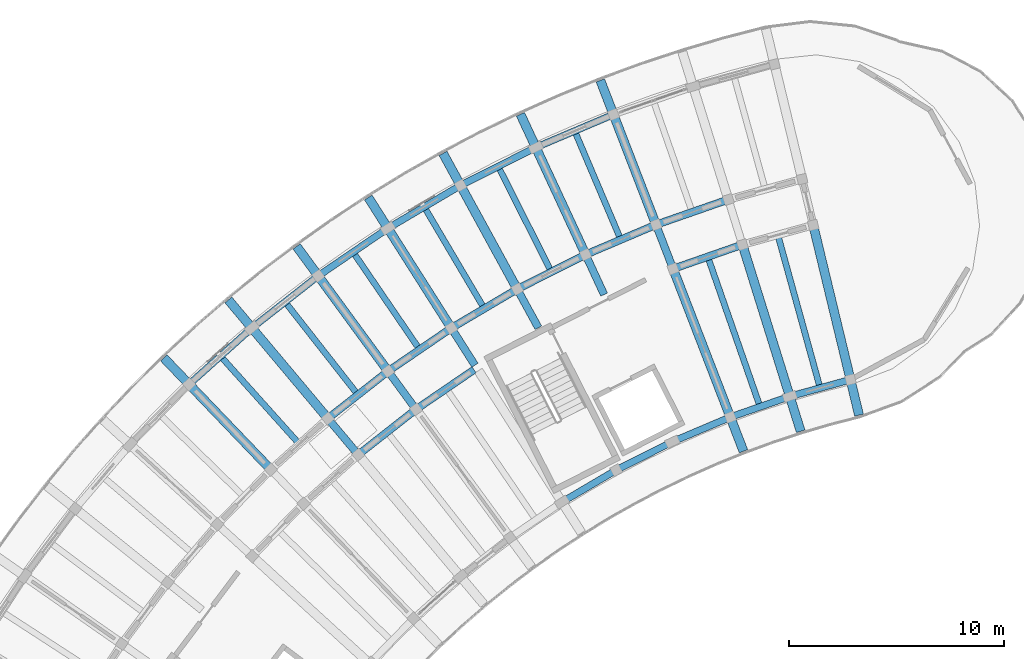
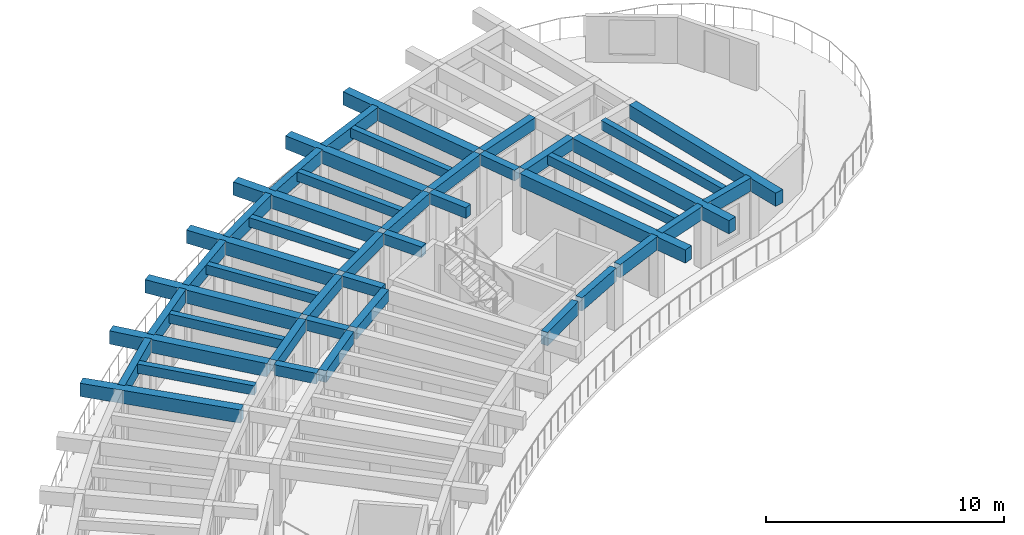
# One storey, part 6 of 36: 44 beams.
"""IFC4 building model written with IfcOpenShell, lengths in metres."""

from ifc_helpers import new_model, si_unit, direction, frame, origin, origin_2d, place, context, subcontext, project, spatial, rectangle, extrude, material, material_profile, profile_set, type_object, element, save


model = new_model("IFC4")

# Units and contexts
model_context = context("Model", 3, precision=1e-05, world=origin(), true_north=direction((0.0, 1.0)))
body_context = subcontext(model_context, "Body", "Model", "MODEL_VIEW")
ifc_project = project(units=[si_unit("LENGTHUNIT", "METRE"), si_unit("AREAUNIT", "SQUARE_METRE"), si_unit("VOLUMEUNIT", "CUBIC_METRE"), si_unit("PLANEANGLEUNIT", "RADIAN"), si_unit("MASSUNIT", "GRAM", prefix="KILO")], contexts=[model_context])

# Site, building, storey
site_placement = place(None, origin())
site = spatial("IfcSite", under=ifc_project, at=site_placement, CompositionType="ELEMENT")
building_placement = place(site_placement, origin())
building = spatial("IfcBuilding", under=site, at=building_placement, Name="Tanwirah Colonnade Gardens", CompositionType="ELEMENT")
storey_placement = place(building_placement, frame((0.0, 0.0, 39.080078125)))
storey = spatial("IfcBuildingStorey", under=building, at=storey_placement, Name="L11", CompositionType="ELEMENT", Elevation=39.080078125)

# Beams
ifc_material_1 = material(Name="Precast concrete C40/50", Category="concrete")
ifc_material_profile_1 = material_profile(ifc_material_1, rectangle(XDim=0.35009765625, YDim=0.550048828125, at=origin_2d()), Name="PC-BM 350x550")
ifc_profile_set_1 = profile_set([ifc_material_profile_1], Name="Precast concrete C40/50")
beam_type_1 = type_object("IfcBeamType", Name="BM-PC350A", PredefinedType="BEAM", material=ifc_profile_set_1)
for number, where, z_axis, x_axis, name in (
    (1, (46.270751953125, 108.7099609375, 2.844970703125), (-0.360175656082, 0.932884503444, 0.0), (-0.932884503444, -0.360175656082, 0.0), "Block A L11 Corridor Tie Beam 4"),
    (2, (43.115234375, 107.37060546875, 2.844970703125), (-0.420858322681, 0.90712638162, 0.0), (-0.90712638162, -0.420858322681, 0.0), "Block A L11 Corridor Tie Beam 5"),
    (3, (40.054931640625, 105.826171875, 2.844970703125), (-0.479707235792, 0.877428611301, 0.0), (-0.877428611301, -0.479707235792, 0.0), "Block A L11 Corridor Tie Beam 6"),
    (4, (37.10302734375, 104.08349609375, 2.844970703125), (-0.536509579595, 0.843894229749, 0.0), (-0.843894229749, -0.536509579595, 0.0), "Block A L11 Corridor Tie Beam 7"),
):
    element("IfcBeam", number, at=place(storey_placement, frame(where, z_axis=z_axis, x_axis=x_axis)), inside=storey, type_object=beam_type_1, Name=name, PredefinedType="BEAM", context=body_context, shape_type="SweptSolid", body=[
        extrude(rectangle(XDim=0.35009765625, YDim=0.550048828125, at=origin_2d()), origin(), (0.0, 0.0, 1.0), 1.89990234375),
    ])
beam_1_placement = place(storey_placement, frame((34.272216796875, 102.14990234375, 2.844970703125), z_axis=(-0.590895676149, 0.806747977939, 0.0), x_axis=(-0.806747977939, -0.590895676149, 0.0)))
element("IfcBeam", 5, at=beam_1_placement, inside=storey, type_object=beam_type_1, Name="Block A L11 Corridor Tie Beam 8", PredefinedType="BEAM", context=body_context, shape_type="SweptSolid", body=[
    extrude(rectangle(XDim=0.35009765625, YDim=0.550048828125, at=origin_2d()), origin(), (0.0, 0.0, 1.0), 1.900146484375),
])
beam_2_placement = place(storey_placement, frame((31.574951171875, 100.034423828125, 2.844970703125), z_axis=(-0.642797194343, 0.766036400535, 0.0), x_axis=(-0.766036400535, -0.642797194343, 0.0)))
element("IfcBeam", 6, at=beam_2_placement, inside=storey, type_object=beam_type_1, Name="Block A L11 Corridor Tie Beam 9", PredefinedType="BEAM", context=body_context, shape_type="SweptSolid", body=[
    extrude(rectangle(XDim=0.35009765625, YDim=0.550048828125, at=origin_2d()), origin(), (0.0, 0.0, 1.0), 1.89990234375),
])
ifc_material_profile_2 = material_profile(ifc_material_1, rectangle(XDim=0.35009765625, YDim=0.60009765625, at=origin_2d()), Name="PC-BM 350x600")
ifc_profile_set_2 = profile_set([ifc_material_profile_2], Name="Precast concrete C40/50")
beam_type_2 = type_object("IfcBeamType", Name="BM-PC350B", PredefinedType="BEAM", material=ifc_profile_set_2)
beam_3_placement = place(storey_placement, frame((49.41064453125, 109.64599609375, 2.81982421875), z_axis=(-0.944248304077, -0.329234172358, 0.0), x_axis=(0.329234172358, -0.944248304077, 0.0)))
element("IfcBeam", 7, at=beam_3_placement, inside=storey, type_object=beam_type_2, Name="Block A L11 Circumferential Beam 3-R1", PredefinedType="BEAM", context=body_context, shape_type="SweptSolid", body=[
    extrude(rectangle(XDim=0.35009765625, YDim=0.60009765625, at=origin_2d()), origin(), (0.0, 0.0, 1.0), 3.1181640625),
])
for number, where, z_axis, x_axis, name in (
    (8, (48.755126953125, 111.74609375, 2.81982421875), (-0.944231021702, -0.329283734272, 0.0), (0.329283734272, -0.944231021702, 0.0), "Block A L11 Circumferential Beam 3-R2"),
    (9, (45.394287109375, 110.563720703125, 2.81982421875), (-0.920513294115, -0.390711242938, 0.0), (0.390711242938, -0.920513294115, 0.0), "Block A L11 Circumferential Beam 4-R2"),
):
    element("IfcBeam", number, at=place(storey_placement, frame(where, z_axis=z_axis, x_axis=x_axis)), inside=storey, type_object=beam_type_2, Name=name, PredefinedType="BEAM", context=body_context, shape_type="SweptSolid", body=[
        extrude(rectangle(XDim=0.35009765625, YDim=0.60009765625, at=origin_2d()), origin(), (0.0, 0.0, 1.0), 3.262939453125),
    ])
for number, where, z_axis, x_axis, name in (
    (10, (42.11865234375, 109.16259765625, 2.81982421875), (-0.89276014323, -0.450532270387, 0.0), (0.450532270387, -0.89276014323, 0.0), "Block A L11 Circumferential Beam 5-R2"),
    (11, (38.9423828125, 107.548583984375, 2.81982421875), (-0.861134978964, -0.508376384193, 0.0), (0.508376384193, -0.861134978964, 0.0), "Block A L11 Circumferential Beam 6-R2"),
):
    element("IfcBeam", number, at=place(storey_placement, frame(where, z_axis=z_axis, x_axis=x_axis)), inside=storey, type_object=beam_type_2, Name=name, PredefinedType="BEAM", context=body_context, shape_type="SweptSolid", body=[
        extrude(rectangle(XDim=0.35009765625, YDim=0.60009765625, at=origin_2d()), origin(), (0.0, 0.0, 1.0), 3.26318359375),
    ])
beam_4_placement = place(storey_placement, frame((37.0595703125, 103.872314453125, 2.81982421875), z_axis=(-0.825758291455, -0.564024152047, 0.0), x_axis=(0.564024152047, -0.825758291455, 0.0)))
element("IfcBeam", 12, at=beam_4_placement, inside=storey, type_object=beam_type_2, Name="Block A L11 Circumferential Beam 7-R1", PredefinedType="BEAM", context=body_context, shape_type="SweptSolid", body=[
    extrude(rectangle(XDim=0.35009765625, YDim=0.60009765625, at=origin_2d()), origin(), (0.0, 0.0, 1.0), 3.118408203125),
])
beam_5_placement = place(storey_placement, frame((35.87939453125, 105.728759765625, 2.81982421875), z_axis=(-0.825782284145, -0.563989024, 0.0), x_axis=(0.563989024, -0.825782284145, 0.0)))
element("IfcBeam", 13, at=beam_5_placement, inside=storey, type_object=beam_type_2, Name="Block A L11 Circumferential Beam 7-R2", PredefinedType="BEAM", context=body_context, shape_type="SweptSolid", body=[
    extrude(rectangle(XDim=0.35009765625, YDim=0.60009765625, at=origin_2d()), origin(), (0.0, 0.0, 1.0), 3.26318359375),
])
beam_6_placement = place(storey_placement, frame((34.242919921875, 101.9365234375, 2.81982421875), z_axis=(-0.78679899272, -0.617209320292, 0.0), x_axis=(0.617209320292, -0.78679899272, 0.0)))
element("IfcBeam", 14, at=beam_6_placement, inside=storey, type_object=beam_type_2, Name="Block A L11 Circumferential Beam 8-R1", PredefinedType="BEAM", context=body_context, shape_type="SweptSolid", body=[
    extrude(rectangle(XDim=0.35009765625, YDim=0.60009765625, at=origin_2d()), origin(), (0.0, 0.0, 1.0), 3.1181640625),
])
beam_7_placement = place(storey_placement, frame((32.94287109375, 103.711181640625, 2.81982421875), z_axis=(-0.786839882256, -0.617157192044, 0.0), x_axis=(0.617157192044, -0.786839882256, 0.0)))
element("IfcBeam", 15, at=beam_7_placement, inside=storey, type_object=beam_type_2, Name="Block A L11 Circumferential Beam 8-R2", PredefinedType="BEAM", context=body_context, shape_type="SweptSolid", body=[
    extrude(rectangle(XDim=0.35009765625, YDim=0.60009765625, at=origin_2d()), origin(), (0.0, 0.0, 1.0), 3.26318359375),
])
ifc_material_2 = material(Name="Precast concrete C45/55", Category="concrete")
ifc_material_profile_3 = material_profile(ifc_material_2, rectangle(XDim=0.419921875, YDim=0.679931640625, at=origin_2d()), Name="PC-BM 420x680")
ifc_profile_set_3 = profile_set([ifc_material_profile_3], Name="Precast concrete C45/55")
beam_type_3 = type_object("IfcBeamType", Name="BM-PC420", PredefinedType="BEAM", material=ifc_profile_set_3)
beam_8_placement = place(storey_placement, frame((52.882080078125, 110.459716796875, 2.780029296875), z_axis=(0.234401428133, -0.972139892448, 0.0), x_axis=(0.972139892448, 0.234401428133, 0.0)))
element("IfcBeam", 16, at=beam_8_placement, inside=storey, type_object=beam_type_3, Name="Block A L11 Inner Radial Precast Girder 2", PredefinedType="BEAM", context=body_context, shape_type="SweptSolid", body=[
    extrude(rectangle(XDim=0.419921875, YDim=0.679931640625, at=origin_2d()), origin(), (0.0, 0.0, 1.0), 8.949951171875),
])
beam_9_placement = place(storey_placement, frame((49.596923828125, 109.55224609375, 2.780029296875), z_axis=(0.29792861283, -0.9545881529, 0.0), x_axis=(0.9545881529, 0.29792861283, 0.0)))
element("IfcBeam", 17, at=beam_9_placement, inside=storey, type_object=beam_type_3, Name="Block A L11 Inner Radial Precast Girder 3", PredefinedType="BEAM", context=body_context, shape_type="SweptSolid", body=[
    extrude(rectangle(XDim=0.419921875, YDim=0.679931640625, at=origin_2d()), origin(), (0.0, 0.0, 1.0), 8.9501953125),
])
beam_10_placement = place(storey_placement, frame((46.37890625, 108.43017578125, 2.780029296875), z_axis=(0.360155980892, -0.932892099563, 0.0), x_axis=(0.932892099563, 0.360155980892, 0.0)))
element("IfcBeam", 18, at=beam_10_placement, inside=storey, type_object=beam_type_3, Name="Block A L11 Inner Radial Precast Girder 4", PredefinedType="BEAM", context=body_context, shape_type="SweptSolid", body=[
    extrude(rectangle(XDim=0.419921875, YDim=0.679931640625, at=origin_2d()), origin(), (0.0, 0.0, 1.0), 8.949951171875),
])
for number, where, z_axis, x_axis, name in (
    (19, (45.478271484375, 110.76220703125, 2.780029296875), (-0.360150678391, 0.932894146651, 0.0), (-0.932894146651, -0.360150678391, 0.0), "Block A L11 Outer Radial Precast Girder 4"),
    (20, (42.189453125, 109.3662109375, 2.780029296875), (-0.420855908645, 0.9071275016, 0.0), (-0.9071275016, -0.420855908645, 0.0), "Block A L11 Outer Radial Precast Girder 5"),
    (21, (38.99951171875, 107.75634765625, 2.780029296875), (-0.479686549155, 0.877439920769, 0.0), (-0.877439920769, -0.479686549155, 0.0), "Block A L11 Outer Radial Precast Girder 6"),
    (22, (35.922607421875, 105.93994140625, 2.780029296875), (-0.536476584537, 0.8439152056, 0.0), (-0.8439152056, -0.536476584537, 0.0), "Block A L11 Outer Radial Precast Girder 7"),
    (23, (32.97216796875, 103.9248046875, 2.780029296875), (-0.590919194225, 0.806730751798, 0.0), (-0.806730751798, -0.590919194225, 0.0), "Block A L11 Outer Radial Precast Girder 8"),
):
    element("IfcBeam", number, at=place(storey_placement, frame(where, z_axis=z_axis, x_axis=x_axis)), inside=storey, type_object=beam_type_3, Name=name, PredefinedType="BEAM", context=body_context, shape_type="SweptSolid", body=[
        extrude(rectangle(XDim=0.419921875, YDim=0.679931640625, at=origin_2d()), origin(), (0.0, 0.0, 1.0), 7.050048828125),
    ])
beam_11_placement = place(storey_placement, frame((30.160888671875, 101.7197265625, 2.780029296875), z_axis=(-0.642810291951, 0.766025409867, 0.0), x_axis=(-0.766025409867, -0.642810291951, 0.0)))
element("IfcBeam", 24, at=beam_11_placement, inside=storey, type_object=beam_type_3, Name="Block A L11 Outer Radial Precast Girder 9", PredefinedType="BEAM", context=body_context, shape_type="SweptSolid", body=[
    extrude(rectangle(XDim=0.419921875, YDim=0.679931640625, at=origin_2d()), origin(), (0.0, 0.0, 1.0), 7.0498046875),
])
beam_12_placement = place(storey_placement, frame((27.5009765625, 99.333984375, 2.780029296875), z_axis=(-0.691864746793, 0.722027127015, 0.0), x_axis=(-0.722027127015, -0.691864746793, 0.0)))
element("IfcBeam", 25, at=beam_12_placement, inside=storey, type_object=beam_type_3, Name="Block A L11 Outer Radial Precast Girder 10", PredefinedType="BEAM", context=body_context, shape_type="SweptSolid", body=[
    extrude(rectangle(XDim=0.419921875, YDim=0.679931640625, at=origin_2d()), origin(), (0.0, 0.0, 1.0), 7.050048828125),
])
ifc_material_profile_4 = material_profile(ifc_material_1, rectangle(XDim=0.280029296875, YDim=0.47998046875, at=origin_2d()), Name="PC-JST 280x480")
ifc_profile_set_4 = profile_set([ifc_material_profile_4], Name="Precast concrete C40/50")
beam_type_4 = type_object("IfcBeamType", Name="JST-PC280", PredefinedType="JOIST", material=ifc_profile_set_4)
for number, where, z_axis, x_axis, name in (
    (26, (53.130859375, 103.16064453125, 2.8798828125), (-0.266307034535, 0.963888252526, 0.0), (-0.963888252526, -0.266307034535, 0.0), "Block A L11 Inner Precast Floor Joist 2"),
    (27, (50.326171875, 102.28515625, 2.8798828125), (-0.329250558112, 0.944242590642, 0.0), (-0.944242590642, -0.329250558112, 0.0), "Block A L11 Inner Precast Floor Joist 3"),
):
    element("IfcBeam", number, at=place(storey_placement, frame(where, z_axis=z_axis, x_axis=x_axis)), inside=storey, type_object=beam_type_4, Name=name, PredefinedType="JOIST", context=body_context, shape_type="SweptSolid", body=[
        extrude(rectangle(XDim=0.280029296875, YDim=0.47998046875, at=origin_2d()), origin(), (0.0, 0.0, 1.0), 7.159912109375),
    ])
beam_13_placement = place(storey_placement, frame((43.833984375, 110.063720703125, 2.8798828125), z_axis=(-0.390723870106, 0.92050793442, 0.0), x_axis=(-0.92050793442, -0.390723870106, 0.0)))
element("IfcBeam", 28, at=beam_13_placement, inside=storey, type_object=beam_type_4, Name="Block A L11 Precast Floor Joist 4", PredefinedType="JOIST", context=body_context, shape_type="SweptSolid", body=[
    extrude(rectangle(XDim=0.280029296875, YDim=0.47998046875, at=origin_2d()), origin(), (0.0, 0.0, 1.0), 5.260009765625),
])
for number, where, z_axis, x_axis, name in (
    (29, (40.5947265625, 108.560791015625, 2.8798828125), (-0.450533699488, 0.892759422031, 0.0), (-0.892759422031, -0.450533699488, 0.0), "Block A L11 Precast Floor Joist 5"),
    (30, (37.46142578125, 106.84765625, 2.8798828125), (-0.508360236823, 0.86114451146, 0.0), (-0.86114451146, -0.508360236823, 0.0), "Block A L11 Precast Floor Joist 6"),
):
    element("IfcBeam", number, at=place(storey_placement, frame(where, z_axis=z_axis, x_axis=x_axis)), inside=storey, type_object=beam_type_4, Name=name, PredefinedType="JOIST", context=body_context, shape_type="SweptSolid", body=[
        extrude(rectangle(XDim=0.280029296875, YDim=0.47998046875, at=origin_2d()), origin(), (0.0, 0.0, 1.0), 5.26025390625),
    ])
for number, where, z_axis, x_axis, name in (
    (31, (34.44775390625, 104.931884765625, 2.8798828125), (-0.563973225998, 0.825793073571, 0.0), (-0.825793073571, -0.563973225998, 0.0), "Block A L11 Precast Floor Joist 7"),
    (32, (31.56689453125, 102.82177734375, 2.8798828125), (-0.617177687243, 0.786823806433, 0.0), (-0.786823806433, -0.617177687243, 0.0), "Block A L11 Precast Floor Joist 8"),
    (33, (28.831298828125, 100.5263671875, 2.8798828125), (-0.667678987176, 0.744449306591, 0.0), (-0.744449306591, -0.667678987176, 0.0), "Block A L11 Precast Floor Joist 9"),
):
    element("IfcBeam", number, at=place(storey_placement, frame(where, z_axis=z_axis, x_axis=x_axis)), inside=storey, type_object=beam_type_4, Name=name, PredefinedType="JOIST", context=body_context, shape_type="SweptSolid", body=[
        extrude(rectangle(XDim=0.280029296875, YDim=0.47998046875, at=origin_2d()), origin(), (0.0, 0.0, 1.0), 5.260009765625),
    ])
ifc_material_profile_5 = material_profile(ifc_material_2, rectangle(XDim=0.320068359375, YDim=0.679931640625, at=origin_2d()), Name="PC-SP 320x680")
ifc_profile_set_5 = profile_set([ifc_material_profile_5], Name="Precast concrete C45/55")
beam_type_5 = type_object("IfcBeamType", Name="SP-PC320", PredefinedType="SPANDREL", material=ifc_profile_set_5)
beam_14_placement = place(storey_placement, frame((54.436767578125, 103.371826171875, 2.780029296875), z_axis=(-0.96388669146, -0.266312684688, 0.0), x_axis=(0.266312684688, -0.96388669146, 0.0)))
element("IfcBeam", 34, at=beam_14_placement, inside=storey, type_object=beam_type_5, Name="Block A L11 Circumferential Beam 2-R0", PredefinedType="SPANDREL", context=body_context, shape_type="SweptSolid", body=[
    extrude(rectangle(XDim=0.320068359375, YDim=0.679931640625, at=origin_2d()), origin(), (0.0, 0.0, 1.0), 2.630126953125),
])
for number, where, z_axis, x_axis, name in (
    (35, (51.615478515625, 102.58203125, 2.780029296875), (-0.944249847334, -0.32922974624, 0.0), (0.32922974624, -0.944249847334, 0.0), "Block A L11 Circumferential Beam 3-R0"),
    (36, (48.85205078125, 101.608154296875, 2.780029296875), (-0.920488719784, -0.390769134848, 0.0), (0.390769134848, -0.920488719784, 0.0), "Block A L11 Circumferential Beam 4-R0"),
):
    element("IfcBeam", number, at=place(storey_placement, frame(where, z_axis=z_axis, x_axis=x_axis)), inside=storey, type_object=beam_type_5, Name=name, PredefinedType="SPANDREL", context=body_context, shape_type="SweptSolid", body=[
        extrude(rectangle(XDim=0.320068359375, YDim=0.679931640625, at=origin_2d()), origin(), (0.0, 0.0, 1.0), 2.63037109375),
    ])
beam_15_placement = place(storey_placement, frame((43.413330078125, 115.694580078125, 2.780029296875), z_axis=(-0.920494456807, -0.390755620545, 0.0), x_axis=(0.390755620545, -0.920494456807, 0.0)))
element("IfcBeam", 37, at=beam_15_placement, inside=storey, type_object=beam_type_5, Name="Block A L11 Circumferential Beam 4-R3", PredefinedType="SPANDREL", context=body_context, shape_type="SweptSolid", body=[
    extrude(rectangle(XDim=0.320068359375, YDim=0.679931640625, at=origin_2d()), origin(), (0.0, 0.0, 1.0), 3.625732421875),
])
beam_16_placement = place(storey_placement, frame((46.158935546875, 100.4541015625, 2.780029296875), z_axis=(-0.892769015158, -0.450514689632, 0.0), x_axis=(0.450514689632, -0.892769015158, 0.0)))
element("IfcBeam", 38, at=beam_16_placement, inside=storey, type_object=beam_type_5, Name="Block A L11 Circumferential Beam 5-R0", PredefinedType="SPANDREL", context=body_context, shape_type="SweptSolid", body=[
    extrude(rectangle(XDim=0.320068359375, YDim=0.679931640625, at=origin_2d()), origin(), (0.0, 0.0, 1.0), 2.63037109375),
])
beam_17_placement = place(storey_placement, frame((39.803955078125, 114.15185546875, 2.780029296875), z_axis=(-0.892764670911, -0.450523298368, 0.0), x_axis=(0.450523298368, -0.892764670911, 0.0)))
element("IfcBeam", 39, at=beam_17_placement, inside=storey, type_object=beam_type_5, Name="Block A L11 Circumferential Beam 5-R3", PredefinedType="SPANDREL", context=body_context, shape_type="SweptSolid", body=[
    extrude(rectangle(XDim=0.320068359375, YDim=0.679931640625, at=origin_2d()), origin(), (0.0, 0.0, 1.0), 3.6259765625),
])
beam_18_placement = place(storey_placement, frame((43.547607421875, 99.125244140625, 2.780029296875), z_axis=(-0.861148181788, -0.508354019363, 0.0), x_axis=(0.508354019363, -0.861148181788, 0.0)))
element("IfcBeam", 40, at=beam_18_placement, inside=storey, type_object=beam_type_5, Name="Block A L11 Circumferential Beam 6-R0", PredefinedType="SPANDREL", context=body_context, shape_type="SweptSolid", body=[
    extrude(rectangle(XDim=0.320068359375, YDim=0.679931640625, at=origin_2d()), origin(), (0.0, 0.0, 1.0), 2.63037109375),
])
for number, where, z_axis, x_axis, name in (
    (41, (36.303955078125, 112.37451171875, 2.780029296875), (-0.861136912545, -0.5083731089, 0.0), (0.5083731089, -0.861136912545, 0.0), "Block A L11 Circumferential Beam 6-R3"),
    (42, (32.9287109375, 110.370361328125, 2.780029296875), (-0.825782625102, -0.563988524776, 0.0), (0.563988524776, -0.825782625102, 0.0), "Block A L11 Circumferential Beam 7-R3"),
):
    element("IfcBeam", number, at=place(storey_placement, frame(where, z_axis=z_axis, x_axis=x_axis)), inside=storey, type_object=beam_type_5, Name=name, PredefinedType="SPANDREL", context=body_context, shape_type="SweptSolid", body=[
        extrude(rectangle(XDim=0.320068359375, YDim=0.679931640625, at=origin_2d()), origin(), (0.0, 0.0, 1.0), 3.625732421875),
    ])
beam_19_placement = place(storey_placement, frame((29.69287109375, 108.148193359375, 2.780029296875), z_axis=(-0.786843799845, -0.617152197311, 0.0), x_axis=(0.617152197311, -0.786843799845, 0.0)))
element("IfcBeam", 43, at=beam_19_placement, inside=storey, type_object=beam_type_5, Name="Block A L11 Circumferential Beam 8-R3", PredefinedType="SPANDREL", context=body_context, shape_type="SweptSolid", body=[
    extrude(rectangle(XDim=0.320068359375, YDim=0.679931640625, at=origin_2d()), origin(), (0.0, 0.0, 1.0), 3.62548828125),
])
beam_20_placement = place(storey_placement, frame((26.6103515625, 105.7177734375, 2.780029296875), z_axis=(-0.744444790955, -0.667684021989, 0.0), x_axis=(0.667684021989, -0.744444790955, 0.0)))
element("IfcBeam", 44, at=beam_20_placement, inside=storey, type_object=beam_type_5, Name="Block A L11 Circumferential Beam 9-R3", PredefinedType="SPANDREL", context=body_context, shape_type="SweptSolid", body=[
    extrude(rectangle(XDim=0.320068359375, YDim=0.679931640625, at=origin_2d()), origin(), (0.0, 0.0, 1.0), 3.625732421875),
])

save(model, "model.ifc")
